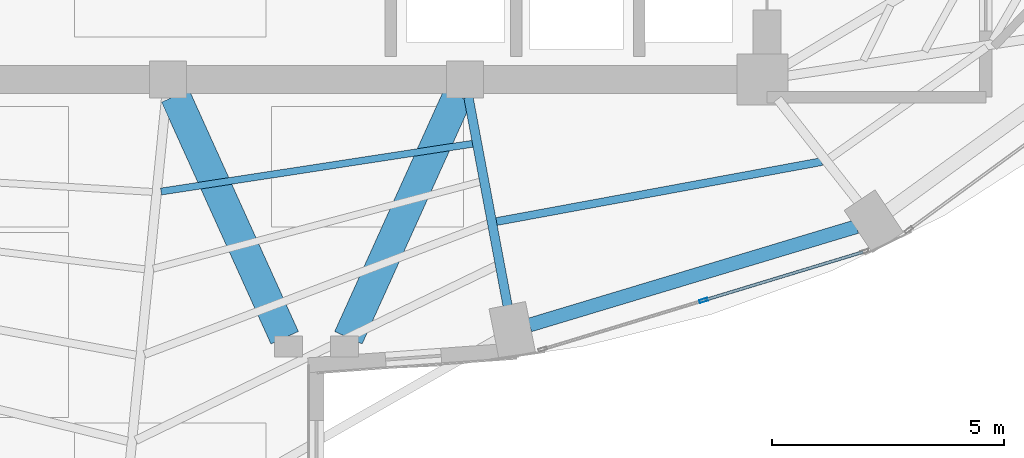
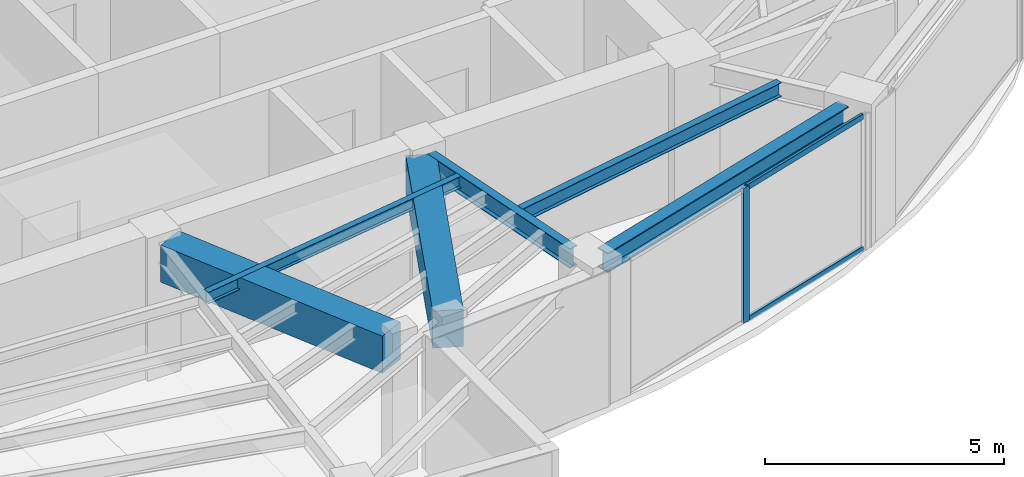
# One storey, part 7 of 23: 6 beams, 3 members, 1 element without a shape of its own.
"""IFC4 building model written with IfcOpenShell, lengths in metres."""

from ifc_helpers import new_model, si_unit, direction, frame, origin, origin_2d, place, context, subcontext, project, spatial, rectangle, hollow_rectangle, i_section, extrude, material, layer, layer_set, material_profile, profile_set, type_object, element, aggregate, save


model = new_model("IFC4")

# Units and contexts
model_context = context("Model", 3, precision=1e-05, world=origin(), true_north=direction((0.0, 1.0)))
body_context = subcontext(model_context, "Body", "Model", "MODEL_VIEW")
ifc_project = project(units=[si_unit("LENGTHUNIT", "METRE"), si_unit("AREAUNIT", "SQUARE_METRE"), si_unit("VOLUMEUNIT", "CUBIC_METRE"), si_unit("PLANEANGLEUNIT", "RADIAN"), si_unit("MASSUNIT", "GRAM", prefix="KILO")], contexts=[model_context])

# Site, building, storey
site_placement = place(None, origin())
site = spatial("IfcSite", under=ifc_project, at=site_placement, CompositionType="ELEMENT")
building_placement = place(site_placement, origin())
building = spatial("IfcBuilding", under=site, at=building_placement, Name="Lazwardi Medical Tower", CompositionType="ELEMENT")
storey_placement = place(building_placement, frame((0.0, 0.0, 198.47998046875)))
storey = spatial("IfcBuildingStorey", under=building, at=storey_placement, Name="L51", CompositionType="ELEMENT", Elevation=198.47998046875)

# Beams
ifc_material_1 = material(Name="Concrete C60/75", Category="concrete")
ifc_material_profile_1 = material_profile(ifc_material_1, rectangle(XDim=0.64990234375, YDim=0.949951171875, at=origin_2d()), Name="RC 650x950")
ifc_profile_set_1 = profile_set([ifc_material_profile_1], Name="Concrete C60/75")
beam_type_1 = type_object("IfcBeamType", Name="BM-CB-RC2", PredefinedType="LINTEL", material=ifc_profile_set_1)
for number, where, z_axis, x_axis, name in (
    (1, (32.95849609375, 20.04931640625, 2.972900390625), (0.412019279944, -0.911175127489, 0.0), (0.911175127489, 0.412019279944, 0.0), "Core coupling lintel CB-02 PL3 L51"),
    (2, (39.04150390625, 20.04931640625, 2.972900390625), (-0.412019279944, -0.911175127489, 0.0), (0.911175127489, -0.412019279944, 0.0), "Core coupling lintel CB-02 PL4 L51"),
):
    element("IfcBeam", number, at=place(storey_placement, frame(where, z_axis=z_axis, x_axis=x_axis)), inside=storey, type_object=beam_type_1, Name=name, PredefinedType="LINTEL", context=body_context, shape_type="SweptSolid", body=[
        extrude(rectangle(XDim=0.64990234375, YDim=0.949951171875, at=origin_2d()), origin(), (0.0, 0.0, 1.0), 5.7158203125),
    ])
ifc_material_2 = material(Name="Steel S355", Category="steel")
ifc_material_profile_2 = material_profile(ifc_material_2, i_section(OverallWidth=0.300048828125, OverallDepth=0.5, WebThickness=0.014404296875, FlangeThickness=0.028076171875, at=origin_2d()), Name="HEB 500")
ifc_profile_set_2 = profile_set([ifc_material_profile_2], Name="Steel S355")
beam_type_2 = type_object("IfcBeamType", Name="BM-RB-Z4", PredefinedType="BEAM", material=ifc_profile_set_2)
beam_1_placement = place(storey_placement, frame((40.58740234375, 15.114013671875, 3.197998046875), z_axis=(0.957544311906, 0.288286126506, 0.0), x_axis=(-0.288286126506, 0.957544311906, 0.0)))
element("IfcBeam", 3, at=beam_1_placement, inside=storey, type_object=beam_type_2, Name="Ring beam RB-05 B01 L51", PredefinedType="BEAM", context=body_context, shape_type="SweptSolid", body=[
    extrude(i_section(OverallWidth=0.300048828125, OverallDepth=0.5, WebThickness=0.014404296875, FlangeThickness=0.028076171875, at=origin_2d()), origin(), (0.0, 0.0, 1.0), 7.3515625),
])
ifc_material_profile_3 = material_profile(ifc_material_2, i_section(OverallWidth=0.199951171875, OverallDepth=0.5, WebThickness=0.01025390625, FlangeThickness=0.01611328125, at=origin_2d()), Name="IPE 500")
ifc_profile_set_3 = profile_set([ifc_material_profile_3], Name="Steel S355")
beam_type_3 = type_object("IfcBeamType", Name="BM-RG-W3", PredefinedType="BEAM", material=ifc_profile_set_3)
beam_2_placement = place(storey_placement, frame((40.115234375, 15.527587890625, 3.197998046875), z_axis=(-0.184633463507, 0.982807450192, 0.0), x_axis=(-0.982807450192, -0.184633463507, 0.0)))
element("IfcBeam", 4, at=beam_2_placement, inside=storey, type_object=beam_type_3, Name="Radial girder RG-04 R01 L51", PredefinedType="BEAM", context=body_context, shape_type="SweptSolid", body=[
    extrude(i_section(OverallWidth=0.199951171875, OverallDepth=0.5, WebThickness=0.01025390625, FlangeThickness=0.01611328125, at=origin_2d()), origin(), (0.0, 0.0, 1.0), 4.572509765625),
])
ifc_material_profile_4 = material_profile(ifc_material_2, i_section(OverallWidth=0.169921875, OverallDepth=0.360107421875, WebThickness=0.008056640625, FlangeThickness=0.0126953125, at=origin_2d()), Name="IPE 360")
ifc_profile_set_4 = profile_set([ifc_material_profile_4], Name="Steel S355")
beam_type_4 = type_object("IfcBeamType", Name="BM-SJ-02", PredefinedType="JOIST", material=ifc_profile_set_4)
beam_3_placement = place(storey_placement, frame((39.87109375, 17.34228515625, 3.26806640625), z_axis=(0.983427965623, 0.181299300688, 0.0), x_axis=(-0.181299300688, 0.983427965623, 0.0)))
element("IfcBeam", 5, at=beam_3_placement, inside=storey, type_object=beam_type_4, Name="Secondary joist SJ-02 R2 B01 L51", PredefinedType="JOIST", context=body_context, shape_type="SweptSolid", body=[
    extrude(i_section(OverallWidth=0.169921875, OverallDepth=0.360107421875, WebThickness=0.008056640625, FlangeThickness=0.0126953125, at=origin_2d()), origin(), (0.0, 0.0, 1.0), 7.127685546875),
])
ifc_material_profile_5 = material_profile(ifc_material_2, i_section(OverallWidth=0.14990234375, OverallDepth=0.300048828125, WebThickness=0.007080078125, FlangeThickness=0.0107421875, at=origin_2d()), Name="IPE 300")
ifc_profile_set_5 = profile_set([ifc_material_profile_5], Name="Steel S355")
beam_type_5 = type_object("IfcBeamType", Name="BM-SJ-03", PredefinedType="JOIST", material=ifc_profile_set_5)
beam_4_placement = place(storey_placement, frame((32.652587890625, 17.989013671875, 3.298095703125), z_axis=(0.988433562862, 0.151654514629, 0.0), x_axis=(-0.151654514629, 0.988433562862, 0.0)))
element("IfcBeam", 6, at=beam_4_placement, inside=storey, type_object=beam_type_5, Name="Secondary joist SJ-03 R4 B16 L51", PredefinedType="JOIST", context=body_context, shape_type="SweptSolid", body=[
    extrude(i_section(OverallWidth=0.14990234375, OverallDepth=0.300048828125, WebThickness=0.007080078125, FlangeThickness=0.0107421875, at=origin_2d()), origin(), (0.0, 0.0, 1.0), 6.788818359375),
])

# Curtain wall, members
ifc_material_3 = material(Name="Anodised bronze aluminium and solar control glazing", Category="aluminium")
ifc_layer = layer(ifc_material_3, 0.18994140625)
ifc_layer_set = layer_set([ifc_layer], Name="Anodised bronze aluminium and solar control glazing")
curtain_wall_type = type_object("IfcCurtainWallType", Name="CW-SYS-04", PredefinedType="NOTDEFINED", material=ifc_layer_set)
curtain_wall_placement = place(storey_placement, origin())
curtain_wall = element("IfcCurtainWall", 7, at=curtain_wall_placement, inside=storey, type_object=curtain_wall_type, Name="L51 Unitised bronze curtain wall CW-04", PredefinedType="NOTDEFINED")
ifc_material_4 = material(Name="Anodised bronze aluminium", Category="aluminium")
ifc_material_profile_6 = material_profile(ifc_material_4, hollow_rectangle(XDim=0.06494140625, YDim=0.179931640625, WallThickness=0.00390625, at=origin_2d()), Name="ALU-MULLION 180x65x4")
ifc_profile_set_6 = profile_set([ifc_material_profile_6], Name="Anodised bronze aluminium")
member_type_1 = type_object("IfcMemberType", Name="CW-MUL-03", PredefinedType="MULLION", material=ifc_profile_set_6)
member_1_placement = place(storey_placement, frame((44.33642578125, 15.644775390625, 0.0), z_axis=(0.0, 0.0, 1.0), x_axis=(-0.290581889515, 0.956850126972, 0.0)))
member_1 = element("IfcMember", 8, at=member_1_placement, type_object=member_type_1, Name="CW-04 mullion 2", PredefinedType="MULLION", context=body_context, shape_type="SweptSolid", body=[
    extrude(hollow_rectangle(XDim=0.06494140625, YDim=0.179931640625, WallThickness=0.00390625, at=origin_2d()), origin(), (0.0, 0.0, 1.0), 3.447998046875),
])
ifc_material_profile_7 = material_profile(ifc_material_4, hollow_rectangle(XDim=0.06494140625, YDim=0.139892578125, WallThickness=0.00341796875, at=origin_2d()), Name="ALU-TRANSOM 140x65x3.5")
ifc_profile_set_7 = profile_set([ifc_material_profile_7], Name="Anodised bronze aluminium")
member_type_2 = type_object("IfcMemberType", Name="CW-TRN-03", PredefinedType="USERDEFINED", material=ifc_profile_set_7)
member_2_placement = place(storey_placement, frame((44.367431640625, 15.654052734375, 0.032470703125), z_axis=(0.956843409009, 0.290604010015, 0.0), x_axis=(-0.290604010015, 0.956843409009, 0.0)))
member_2 = element("IfcMember", 9, at=member_2_placement, type_object=member_type_2, Name="CW-04 transom 2.1", ObjectType="TRANSOM", PredefinedType="USERDEFINED", context=body_context, shape_type="SweptSolid", body=[
    extrude(hollow_rectangle(XDim=0.06494140625, YDim=0.139892578125, WallThickness=0.00341796875, at=origin_2d()), origin(), (0.0, 0.0, 1.0), 3.554443359375),
])
member_3_placement = place(storey_placement, frame((44.367431640625, 15.654052734375, 3.41552734375), z_axis=(0.956843409009, 0.290604010015, 0.0), x_axis=(-0.290604010015, 0.956843409009, 0.0)))
member_3 = element("IfcMember", 10, at=member_3_placement, type_object=member_type_2, Name="CW-04 transom 2.2", ObjectType="TRANSOM", PredefinedType="USERDEFINED", context=body_context, shape_type="SweptSolid", body=[
    extrude(hollow_rectangle(XDim=0.06494140625, YDim=0.139892578125, WallThickness=0.00341796875, at=origin_2d()), origin(), (0.0, 0.0, 1.0), 3.554443359375),
])
aggregate(curtain_wall, [member_1, member_2, member_3])

save(model, "model.ifc")
